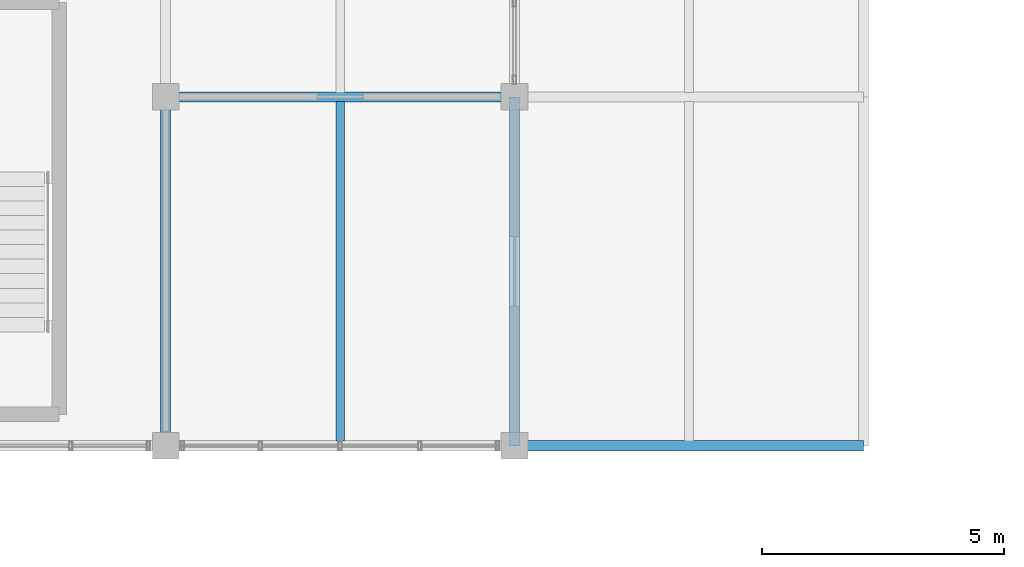
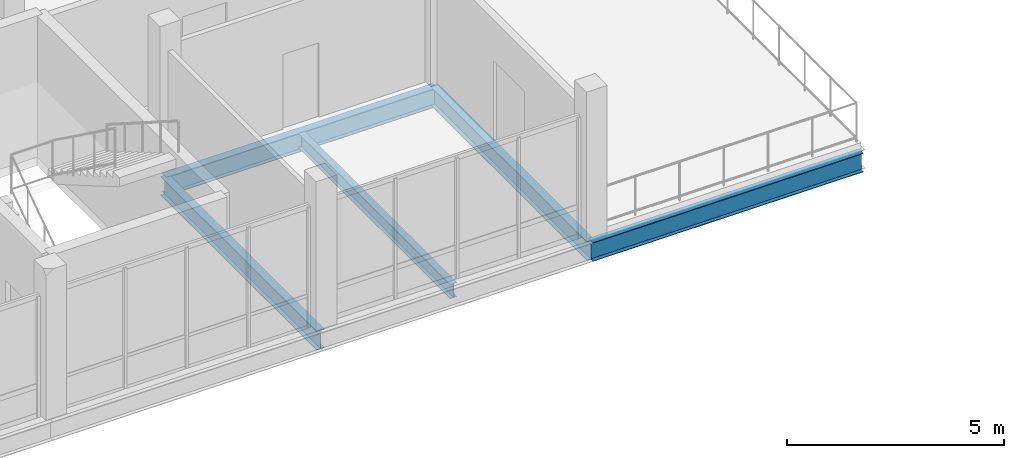
# One storey, part 23 of 47: 5 beams.
"""IFC4 building model written with IfcOpenShell, lengths in metres."""

from ifc_helpers import new_model, si_unit, direction, frame, origin, origin_2d, place, context, subcontext, project, spatial, i_section, extrude, material, material_profile, profile_set, type_object, element, save


model = new_model("IFC4")

# Units and contexts
model_context = context("Model", 3, precision=1e-05, world=origin(), true_north=direction((0.0, 1.0)))
body_context = subcontext(model_context, "Body", "Model", "MODEL_VIEW")
ifc_project = project(units=[si_unit("LENGTHUNIT", "METRE"), si_unit("AREAUNIT", "SQUARE_METRE"), si_unit("VOLUMEUNIT", "CUBIC_METRE"), si_unit("PLANEANGLEUNIT", "RADIAN"), si_unit("MASSUNIT", "GRAM", prefix="KILO")], contexts=[model_context])

# Site, building, storey
site_placement = place(None, origin())
site = spatial("IfcSite", under=ifc_project, at=site_placement, CompositionType="ELEMENT")
building_placement = place(site_placement, origin())
building = spatial("IfcBuilding", under=site, at=building_placement, Name="Yarey Park Central Fire Station", CompositionType="ELEMENT")
storey_placement = place(building_placement, frame((0.0, 0.0, 18.0)))
storey = spatial("IfcBuildingStorey", under=building, at=storey_placement, Name="L05", CompositionType="ELEMENT", Elevation=18.0)

# Beams
ifc_material = material(Name="Steel ASTM A992 Gr. 50", Category="steel")
ifc_material_profile_1 = material_profile(ifc_material, i_section(OverallWidth=0.208984375, OverallDepth=0.532958984375, WebThickness=0.01025390625, FlangeThickness=0.015625, at=origin_2d()), Name="W530x92")
ifc_profile_set_1 = profile_set([ifc_material_profile_1], Name="Steel ASTM A992 Gr. 50")
beam_type_1 = type_object("IfcBeamType", Name="STR_BM_W530", PredefinedType="BEAM", material=ifc_profile_set_1)
for number, where, z_axis, x_axis, name in (
    (1, (151.199951171875, 93.60009765625, -0.50146484375), (1.0, 0.0, 0.0), (0.0, 1.0, 0.0), "BMX L05 Y936 X1512"),
    (2, (144.0, 100.800048828125, -0.506591796875), (1.0, 0.0, 0.0), (0.0, 1.0, 0.0), "BMX L05 Y1008 X1440"),
    (3, (144.0, 93.60009765625, -0.506591796875), (0.0, 1.0, 0.0), (-1.0, 0.0, 0.0), "BMY L05 X1440 Y936"),
    (4, (151.199951171875, 93.60009765625, -0.506591796875), (0.0, 1.0, 0.0), (-1.0, 0.0, 0.0), "BMY L05 X1512 Y936"),
):
    element("IfcBeam", number, at=place(storey_placement, frame(where, z_axis=z_axis, x_axis=x_axis)), inside=storey, type_object=beam_type_1, Name=name, PredefinedType="BEAM", context=body_context, shape_type="SweptSolid", body=[
        extrude(i_section(OverallWidth=0.208984375, OverallDepth=0.532958984375, WebThickness=0.01025390625, FlangeThickness=0.015625, at=origin_2d()), origin(), (0.0, 0.0, 1.0), 7.199951171875),
    ])
ifc_material_profile_2 = material_profile(ifc_material, i_section(OverallWidth=0.177978515625, OverallDepth=0.406982421875, WebThickness=0.0078125, FlangeThickness=0.0126953125, at=origin_2d()), Name="W410x60")
ifc_profile_set_2 = profile_set([ifc_material_profile_2], Name="Steel ASTM A992 Gr. 50")
beam_type_2 = type_object("IfcBeamType", Name="STR_JST_W410", PredefinedType="JOIST", material=ifc_profile_set_2)
beam_placement = place(storey_placement, frame((147.60009765625, 93.695068359375, -0.443603515625), z_axis=(0.0, 1.0, 0.0), x_axis=(-1.0, 0.0, 0.0)))
element("IfcBeam", 5, at=beam_placement, inside=storey, type_object=beam_type_2, Name="JST L05 X1476 Y936", PredefinedType="JOIST", context=body_context, shape_type="SweptSolid", body=[
    extrude(i_section(OverallWidth=0.177978515625, OverallDepth=0.406982421875, WebThickness=0.0078125, FlangeThickness=0.0126953125, at=origin_2d()), origin(), (0.0, 0.0, 1.0), 7.010009765625),
])

save(model, "model.ifc")
